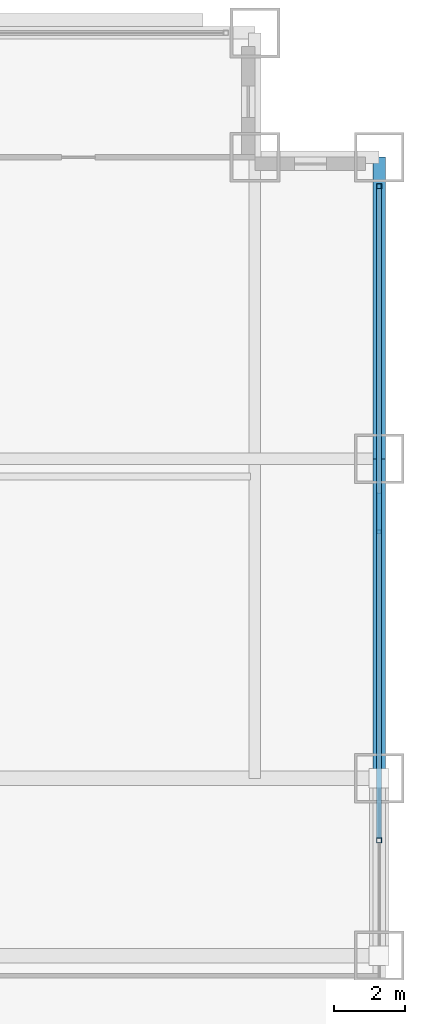
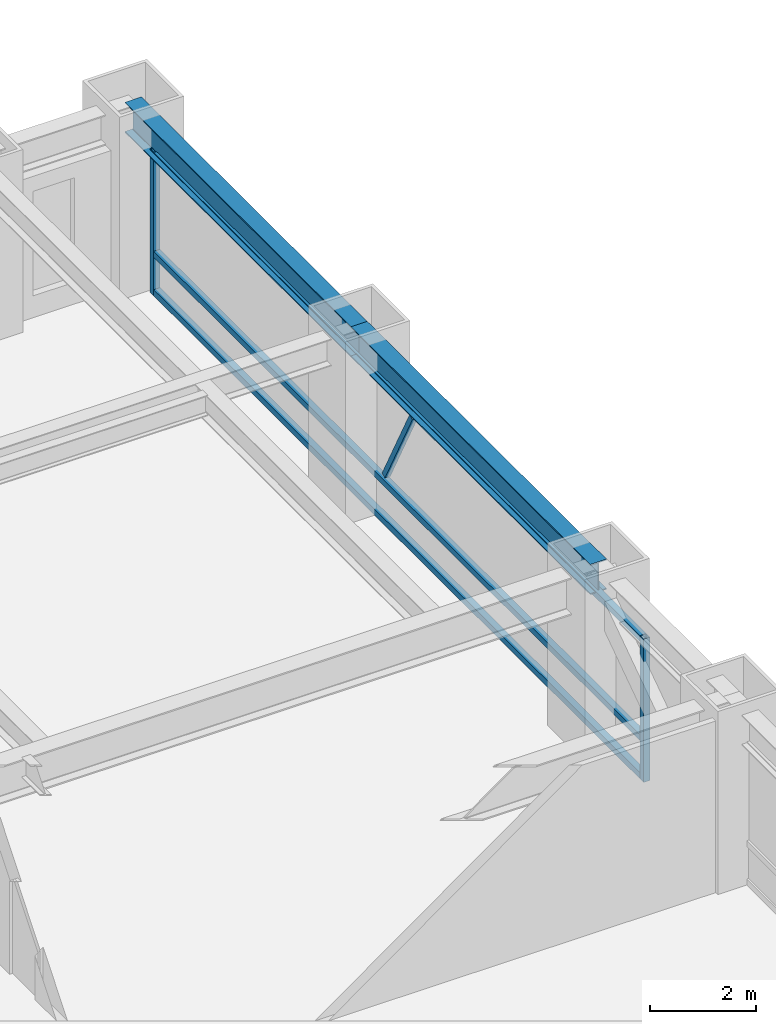
# One storey, part 18 of 31: 6 members, 2 beams, 1 element without a shape of its own.
"""IFC4 building model written with IfcOpenShell, lengths in metres."""

from ifc_helpers import new_model, si_unit, direction, frame, origin, origin_2d, place, context, subcontext, project, spatial, hollow_rectangle, i_section, extrude, source, transform, mapped, material, material_profile, profile_set, type_object, element, aggregate, save


model = new_model("IFC4")

# Units and contexts
model_context = context("Model", 3, precision=1e-05, world=origin(), true_north=direction((0.0, 1.0)))
body_context = subcontext(model_context, "Body", "Model", "MODEL_VIEW")
ifc_project = project(units=[si_unit("LENGTHUNIT", "METRE"), si_unit("AREAUNIT", "SQUARE_METRE"), si_unit("VOLUMEUNIT", "CUBIC_METRE"), si_unit("PLANEANGLEUNIT", "RADIAN"), si_unit("MASSUNIT", "GRAM", prefix="KILO")], contexts=[model_context])

# Site, building, storey
site_placement = place(None, origin())
site = spatial("IfcSite", under=ifc_project, at=site_placement, CompositionType="ELEMENT")
building_placement = place(site_placement, origin())
building = spatial("IfcBuilding", under=site, at=building_placement, Name="Khorayat Bourse Tower", CompositionType="ELEMENT")
storey_placement = place(building_placement, frame((0.0, 0.0, 36.800048828125)))
storey = spatial("IfcBuildingStorey", under=building, at=storey_placement, Name="L07", CompositionType="ELEMENT", Elevation=36.800048828125)

# Beams
ifc_material_1 = material(Name="Steel ASTM A992 Grade 50", Category="steel")
ifc_material_profile_1 = material_profile(ifc_material_1, i_section(OverallWidth=0.35498046875, OverallDepth=0.695068359375, WebThickness=0.015380859375, FlangeThickness=0.02490234375, FilletRadius=0.01806640625, at=origin_2d()), Name="W690X217")
ifc_profile_set_1 = profile_set([ifc_material_profile_1], Name="Steel ASTM A992 Grade 50")
beam_type = type_object("IfcBeamType", Name="BM-SPAN-690", PredefinedType="SPANDREL", material=ifc_profile_set_1)
shared_shape_1 = source(origin(), body_context, "Body", "SweptSolid", [
    extrude(i_section(OverallWidth=0.35498046875, OverallDepth=0.695068359375, WebThickness=0.015380859375, FlangeThickness=0.02490234375, FilletRadius=0.01806640625, at=origin_2d()), origin(), (0.0, 0.0, 1.0), 8.5),
])
beam_1_placement = place(storey_placement, frame((32.0, 20.0, 3.592529296875), z_axis=(0.0, 1.0, 0.0), x_axis=(-1.0, 0.0, 0.0)))
element("IfcBeam", 1, at=beam_1_placement, inside=storey, type_object=beam_type, Name="L07 BM-SPAN-690 BM-L07-SPN-041", PredefinedType="SPANDREL", context=body_context, shape_type="MappedRepresentation", body=[
    mapped(shared_shape_1, transform((0.0, 0.0, 0.0), scale=1.0)),
])
shared_shape_2 = source(origin(), body_context, "Body", "SweptSolid", [
    extrude(i_section(OverallWidth=0.35498046875, OverallDepth=0.695068359375, WebThickness=0.015380859375, FlangeThickness=0.02490234375, FilletRadius=0.01806640625, at=origin_2d()), origin(), (0.0, 0.0, 1.0), 9.0),
])
beam_2_placement = place(storey_placement, frame((32.0, 11.0, 3.592529296875), z_axis=(0.0, 1.0, 0.0), x_axis=(-1.0, 0.0, 0.0)))
element("IfcBeam", 2, at=beam_2_placement, inside=storey, type_object=beam_type, Name="L07 BM-SPAN-690 BM-L07-SPN-040", PredefinedType="SPANDREL", context=body_context, shape_type="MappedRepresentation", body=[
    mapped(shared_shape_2, transform((0.0, 0.0, 0.0), scale=1.0)),
])

# Curtain wall, members
ifc_material_2 = material(Name="Aluminium EN AW-6063 T6", Category="aluminium")
curtain_wall_type = type_object("IfcCurtainWallType", Name="CW-SYS-02", PredefinedType="NOTDEFINED", material=ifc_material_2)
curtain_wall_placement = place(storey_placement, origin())
curtain_wall = element("IfcCurtainWall", 3, at=curtain_wall_placement, inside=storey, type_object=curtain_wall_type, Name="L07 Curtain Wall CW-L07-E1", PredefinedType="NOTDEFINED")
ifc_material_profile_2 = material_profile(ifc_material_2, hollow_rectangle(XDim=0.139892578125, YDim=0.139892578125, WallThickness=0.006103515625, at=origin_2d()), Name="ALU 140x140x6")
ifc_profile_set_2 = profile_set([ifc_material_profile_2], Name="Aluminium EN AW-6063 T6")
member_type_1 = type_object("IfcMemberType", Name="CWT-HORZ-140", PredefinedType="USERDEFINED", material=ifc_profile_set_2)
shared_shape_3 = source(origin(), body_context, "Body", "SweptSolid", [
    extrude(hollow_rectangle(XDim=0.139892578125, YDim=0.139892578125, WallThickness=0.006103515625, at=origin_2d()), origin(), (0.0, 0.0, 1.0), 18.2900390625),
])
member_1_placement = place(storey_placement, frame((32.0, 9.320068359375, 0.070068359375), z_axis=(0.0, 1.0, 0.0), x_axis=(-1.0, 0.0, 0.0)))
member_1 = element("IfcMember", 4, at=member_1_placement, type_object=member_type_1, Name="CW-L07-E1 Horizontal Transom 3-1", ObjectType="TRANSOM", PredefinedType="USERDEFINED", context=body_context, shape_type="MappedRepresentation", body=[
    mapped(shared_shape_3, transform((0.0, 0.0, 0.0), scale=1.0)),
])
member_2_placement = place(storey_placement, frame((32.0, 9.320068359375, 0.949951171875), z_axis=(0.0, 1.0, 0.0), x_axis=(-1.0, 0.0, 0.0)))
member_2 = element("IfcMember", 5, at=member_2_placement, type_object=member_type_1, Name="CW-L07-E1 Horizontal Transom 3-2", ObjectType="TRANSOM", PredefinedType="USERDEFINED", context=body_context, shape_type="MappedRepresentation", body=[
    mapped(shared_shape_3, transform((0.0, 0.0, 0.0), scale=1.0)),
])
member_3_placement = place(storey_placement, frame((32.0, 9.320068359375, 3.219970703125), z_axis=(0.0, 1.0, 0.0), x_axis=(-1.0, 0.0, 0.0)))
member_3 = element("IfcMember", 6, at=member_3_placement, type_object=member_type_1, Name="CW-L07-E1 Horizontal Transom 3-3", ObjectType="TRANSOM", PredefinedType="USERDEFINED", context=body_context, shape_type="MappedRepresentation", body=[
    mapped(shared_shape_3, transform((0.0, 0.0, 0.0), scale=1.0)),
])
ifc_material_profile_3 = material_profile(ifc_material_2, hollow_rectangle(XDim=0.139892578125, YDim=0.139892578125, WallThickness=0.006103515625, at=origin_2d()), Name="ALU 140x140x6")
ifc_profile_set_3 = profile_set([ifc_material_profile_3], Name="Aluminium EN AW-6063 T6")
member_type_2 = type_object("IfcMemberType", Name="CWM-VERT-140", PredefinedType="MULLION", material=ifc_profile_set_3)
shared_shape_4 = source(origin(), body_context, "Body", "SweptSolid", [
    extrude(hollow_rectangle(XDim=0.139892578125, YDim=0.139892578125, WallThickness=0.006103515625, at=origin_2d()), origin(), (0.0, 0.0, 1.0), 3.2900390625),
])
member_4_placement = place(storey_placement, frame((32.0, 9.25, 0.0), z_axis=(0.0, 0.0, 1.0), x_axis=(-1.0, 0.0, 0.0)))
member_4 = element("IfcMember", 7, at=member_4_placement, type_object=member_type_2, Name="CW-L07-E1 Vertical Mullion 3", PredefinedType="MULLION", context=body_context, shape_type="MappedRepresentation", body=[
    mapped(shared_shape_4, transform((0.0, 0.0, 0.0), scale=1.0)),
])
member_5_placement = place(storey_placement, frame((32.0, 27.679931640625, 0.0), z_axis=(0.0, 0.0, 1.0), x_axis=(-1.0, 0.0, 0.0)))
member_5 = element("IfcMember", 8, at=member_5_placement, type_object=member_type_2, Name="CW-L07-E1 Vertical Mullion 4", PredefinedType="MULLION", context=body_context, shape_type="MappedRepresentation", body=[
    mapped(shared_shape_4, transform((0.0, 0.0, 0.0), scale=1.0)),
])
ifc_material_profile_4 = material_profile(ifc_material_2, hollow_rectangle(XDim=0.1201171875, YDim=0.1201171875, WallThickness=0.0048828125, at=origin_2d()), Name="ALU 120x120x5")
ifc_profile_set_4 = profile_set([ifc_material_profile_4], Name="Aluminium EN AW-6063 T6")
member_type_3 = type_object("IfcMemberType", Name="CWM-DIAG-120", PredefinedType="MULLION", material=ifc_profile_set_4)
shared_shape_5 = source(origin(), body_context, "Body", "SweptSolid", [
    extrude(hollow_rectangle(XDim=0.1201171875, YDim=0.1201171875, WallThickness=0.0048828125, at=origin_2d()), origin(), (0.0, 0.0, 1.0), 2.226318359375),
])
member_6_placement = place(storey_placement, frame((32.0, 18.9833984375, 1.099853515625), z_axis=(0.0, -0.465714796031, 0.884934872608), x_axis=(1.0, 0.0, 0.0)))
member_6 = element("IfcMember", 9, at=member_6_placement, type_object=member_type_3, Name="CW-L07-E1 Faceted Diagonal Mullion 3", PredefinedType="MULLION", context=body_context, shape_type="MappedRepresentation", body=[
    mapped(shared_shape_5, transform((0.0, 0.0, 0.0), scale=1.0)),
])
aggregate(curtain_wall, [member_4, member_5, member_1, member_2, member_3, member_6])

save(model, "model.ifc")
